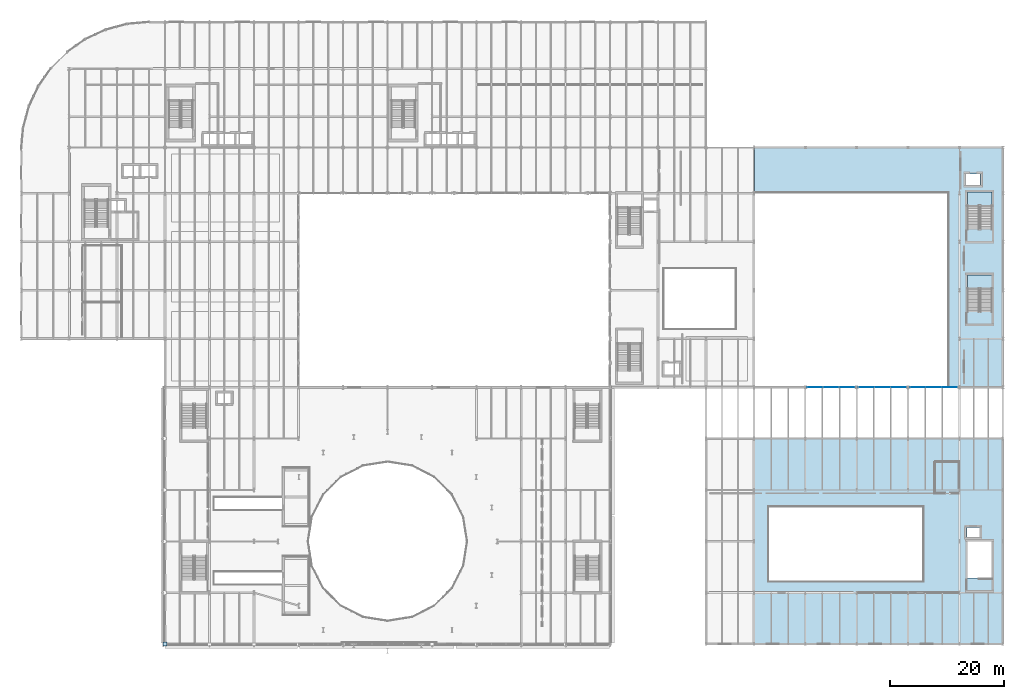
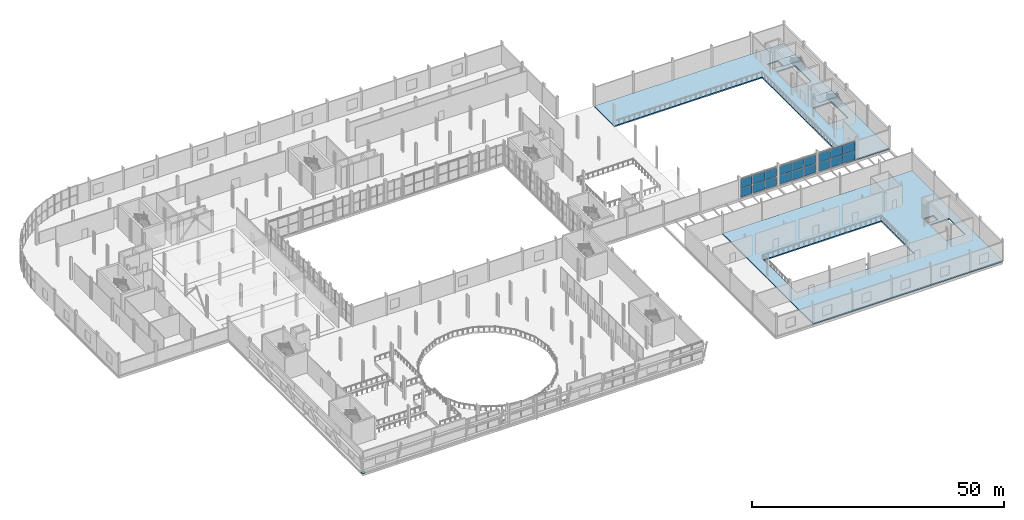
# One storey, part 43 of 78: 19 plates, 4 slabs, 5 elements without a shape of their own.
"""IFC4 building model written with IfcOpenShell, lengths in metres."""

from ifc_helpers import new_model, si_unit, direction, frame, origin, origin_2d, place, context, subcontext, project, spatial, polyline, rectangle, outline, extrude, material, layer, layer_set, type_object, element, aggregate, save


model = new_model("IFC4")

# Units and contexts
model_context = context("Model", 3, precision=1e-05, world=origin(), true_north=direction((0.0, 1.0)))
body_context = subcontext(model_context, "Body", "Model", "MODEL_VIEW")
ifc_project = project(units=[si_unit("LENGTHUNIT", "METRE"), si_unit("AREAUNIT", "SQUARE_METRE"), si_unit("VOLUMEUNIT", "CUBIC_METRE"), si_unit("PLANEANGLEUNIT", "RADIAN"), si_unit("MASSUNIT", "GRAM", prefix="KILO")], contexts=[model_context])

# Site, building, storey
site_placement = place(None, origin())
site = spatial("IfcSite", under=ifc_project, at=site_placement, CompositionType="ELEMENT")
building_placement = place(site_placement, origin())
building = spatial("IfcBuilding", under=site, at=building_placement, Name="Sefraquen Railside Congress Hotel", CompositionType="ELEMENT")
storey_placement = place(building_placement, frame((0.0, 0.0, 6.0)))
storey = spatial("IfcBuildingStorey", under=building, at=storey_placement, Name="L01", CompositionType="ELEMENT", Elevation=6.0)

# Plate
ifc_material_1 = material(Name="Steel S355J2", Category="steel")
ifc_layer_1 = layer(ifc_material_1, 0.050048828125)
ifc_layer_set_1 = layer_set([ifc_layer_1], Name="Steel S355J2")
plate_type_1 = type_object("IfcPlateType", Name="TP-BPL-01", PredefinedType="SHEET", material=ifc_layer_set_1)
plate_1_placement = place(storey_placement, frame((25.199951171875, 9.0, -0.05126953125), z_axis=(0.0, 0.0, 1.0), x_axis=(1.0, 0.0, 0.0)))
element("IfcPlate", 1, at=plate_1_placement, inside=storey, type_object=plate_type_1, Name="Inclined column base knuckle plate SW-4B", PredefinedType="SHEET", context=body_context, shape_type="SweptSolid", body=[
    extrude(rectangle(XDim=0.64990234375, YDim=0.64990234375, at=origin_2d()), origin(), (0.0, 0.0, 1.0), 0.008056640625),
])

# Curtain wall, plates
ifc_material_2 = material(Name="Thermally broken anodised aluminium and low-E double glazing", Category="aluminium")
ifc_layer_2 = layer(ifc_material_2, 0.199951171875)
ifc_layer_set_2 = layer_set([ifc_layer_2], Name="Thermally broken anodised aluminium and low-E double glazing")
curtain_wall_type_1 = type_object("IfcCurtainWallType", Name="TCW-UCW-17", PredefinedType="USERDEFINED", material=ifc_layer_set_2)
curtain_wall_1_placement = place(storey_placement, origin())
curtain_wall_1 = element("IfcCurtainWall", 2, at=curtain_wall_1_placement, inside=storey, type_object=curtain_wall_type_1, Name="Grand Ballroom L01 south curtain wall 2", ObjectType="UNITISED CURTAIN WALL", PredefinedType="USERDEFINED")
ifc_material_3 = material(Name="Solar-control low-E double glazing", Category="glass")
ifc_layer_3 = layer(ifc_material_3, 0.02392578125)
ifc_layer_set_3 = layer_set([ifc_layer_3], Name="Solar-control low-E double glazing")
plate_type_2 = type_object("IfcPlateType", Name="TP-CWP-01", PredefinedType="CURTAIN_PANEL", material=ifc_layer_set_3)
plate_2_placement = place(storey_placement, frame((139.106689453125, 54.0, 0.0400390625), z_axis=(0.0, 0.0, 1.0), x_axis=(1.0, 0.0, 0.0)))
plate_2 = element("IfcPlate", 3, at=plate_2_placement, type_object=plate_type_2, Name="CW-L01-049 panel 1.1", PredefinedType="CURTAIN_PANEL", context=body_context, shape_type="SweptSolid", body=[
    extrude(rectangle(XDim=2.703369140625, YDim=0.02392578125, at=origin_2d()), origin(), (0.0, 0.0, 1.0), 2.14501953125),
])
plate_3_placement = place(storey_placement, frame((141.89990234375, 54.0, 0.0400390625), z_axis=(0.0, 0.0, 1.0), x_axis=(1.0, 0.0, 0.0)))
plate_3 = element("IfcPlate", 4, at=plate_3_placement, type_object=plate_type_2, Name="CW-L01-049 panel 1.2", PredefinedType="CURTAIN_PANEL", context=body_context, shape_type="SweptSolid", body=[
    extrude(rectangle(XDim=2.703369140625, YDim=0.02392578125, at=origin_2d()), origin(), (0.0, 0.0, 1.0), 2.14501953125),
])
plate_4_placement = place(storey_placement, frame((144.693359375, 54.0, 0.0400390625), z_axis=(0.0, 0.0, 1.0), x_axis=(1.0, 0.0, 0.0)))
plate_4 = element("IfcPlate", 5, at=plate_4_placement, type_object=plate_type_2, Name="CW-L01-049 panel 1.3", PredefinedType="CURTAIN_PANEL", context=body_context, shape_type="SweptSolid", body=[
    extrude(rectangle(XDim=2.703369140625, YDim=0.02392578125, at=origin_2d()), origin(), (0.0, 0.0, 1.0), 2.14501953125),
])

ifc_layer_4 = layer(ifc_material_2, 0.199951171875)
ifc_layer_set_4 = layer_set([ifc_layer_4], Name="Thermally broken anodised aluminium and low-E double glazing")
curtain_wall_type_2 = type_object("IfcCurtainWallType", Name="TCW-UCW-18", PredefinedType="USERDEFINED", material=ifc_layer_set_4)
curtain_wall_2_placement = place(storey_placement, origin())
curtain_wall_2 = element("IfcCurtainWall", 6, at=curtain_wall_2_placement, inside=storey, type_object=curtain_wall_type_2, Name="Grand Ballroom L01 south curtain wall 3", ObjectType="UNITISED CURTAIN WALL", PredefinedType="USERDEFINED")
plate_5_placement = place(storey_placement, frame((148.106689453125, 54.0, 0.0400390625), z_axis=(0.0, 0.0, 1.0), x_axis=(1.0, 0.0, 0.0)))
plate_5 = element("IfcPlate", 7, at=plate_5_placement, type_object=plate_type_2, Name="CW-L01-050 panel 1.1", PredefinedType="CURTAIN_PANEL", context=body_context, shape_type="SweptSolid", body=[
    extrude(rectangle(XDim=2.703369140625, YDim=0.02392578125, at=origin_2d()), origin(), (0.0, 0.0, 1.0), 2.14501953125),
])
plate_6_placement = place(storey_placement, frame((150.89990234375, 54.0, 0.0400390625), z_axis=(0.0, 0.0, 1.0), x_axis=(1.0, 0.0, 0.0)))
plate_6 = element("IfcPlate", 8, at=plate_6_placement, type_object=plate_type_2, Name="CW-L01-050 panel 1.2", PredefinedType="CURTAIN_PANEL", context=body_context, shape_type="SweptSolid", body=[
    extrude(rectangle(XDim=2.703369140625, YDim=0.02392578125, at=origin_2d()), origin(), (0.0, 0.0, 1.0), 2.14501953125),
])
plate_7_placement = place(storey_placement, frame((153.693359375, 54.0, 0.0400390625), z_axis=(0.0, 0.0, 1.0), x_axis=(1.0, 0.0, 0.0)))
plate_7 = element("IfcPlate", 9, at=plate_7_placement, type_object=plate_type_2, Name="CW-L01-050 panel 1.3", PredefinedType="CURTAIN_PANEL", context=body_context, shape_type="SweptSolid", body=[
    extrude(rectangle(XDim=2.703369140625, YDim=0.02392578125, at=origin_2d()), origin(), (0.0, 0.0, 1.0), 2.14501953125),
])

ifc_layer_5 = layer(ifc_material_2, 0.199951171875)
ifc_layer_set_5 = layer_set([ifc_layer_5], Name="Thermally broken anodised aluminium and low-E double glazing")
curtain_wall_type_3 = type_object("IfcCurtainWallType", Name="TCW-UCW-19", PredefinedType="USERDEFINED", material=ifc_layer_set_5)
curtain_wall_3_placement = place(storey_placement, origin())
curtain_wall_3 = element("IfcCurtainWall", 10, at=curtain_wall_3_placement, inside=storey, type_object=curtain_wall_type_3, Name="Grand Ballroom L01 south curtain wall 4", ObjectType="UNITISED CURTAIN WALL", PredefinedType="USERDEFINED")
plate_8_placement = place(storey_placement, frame((157.106689453125, 54.0, 0.0400390625), z_axis=(0.0, 0.0, 1.0), x_axis=(1.0, 0.0, 0.0)))
plate_8 = element("IfcPlate", 11, at=plate_8_placement, type_object=plate_type_2, Name="CW-L01-051 panel 1.1", PredefinedType="CURTAIN_PANEL", context=body_context, shape_type="SweptSolid", body=[
    extrude(rectangle(XDim=2.703369140625, YDim=0.02392578125, at=origin_2d()), origin(), (0.0, 0.0, 1.0), 2.14501953125),
])
plate_9_placement = place(storey_placement, frame((159.89990234375, 54.0, 0.0400390625), z_axis=(0.0, 0.0, 1.0), x_axis=(1.0, 0.0, 0.0)))
plate_9 = element("IfcPlate", 12, at=plate_9_placement, type_object=plate_type_2, Name="CW-L01-051 panel 1.2", PredefinedType="CURTAIN_PANEL", context=body_context, shape_type="SweptSolid", body=[
    extrude(rectangle(XDim=2.703369140625, YDim=0.02392578125, at=origin_2d()), origin(), (0.0, 0.0, 1.0), 2.14501953125),
])
plate_10_placement = place(storey_placement, frame((162.693359375, 54.0, 0.0400390625), z_axis=(0.0, 0.0, 1.0), x_axis=(1.0, 0.0, 0.0)))
plate_10 = element("IfcPlate", 13, at=plate_10_placement, type_object=plate_type_2, Name="CW-L01-051 panel 1.3", PredefinedType="CURTAIN_PANEL", context=body_context, shape_type="SweptSolid", body=[
    extrude(rectangle(XDim=2.703369140625, YDim=0.02392578125, at=origin_2d()), origin(), (0.0, 0.0, 1.0), 2.14501953125),
])

# Plate
ifc_material_4 = material(Name="Triple acoustic solar-control glazing", Category="glass")
ifc_layer_6 = layer(ifc_material_4, 0.031982421875)
ifc_layer_set_6 = layer_set([ifc_layer_6], Name="Triple acoustic solar-control glazing")
plate_type_3 = type_object("IfcPlateType", Name="TP-CWP-02", PredefinedType="CURTAIN_PANEL", material=ifc_layer_set_6)
plate_11_placement = place(storey_placement, frame((139.106689453125, 54.0, 2.264892578125), z_axis=(0.0, 0.0, 1.0), x_axis=(1.0, 0.0, 0.0)))
plate_11 = element("IfcPlate", 14, at=plate_11_placement, type_object=plate_type_3, Name="CW-L01-049 panel 2.1", PredefinedType="CURTAIN_PANEL", context=body_context, shape_type="SweptSolid", body=[
    extrude(rectangle(XDim=2.703369140625, YDim=0.031982421875, at=origin_2d()), origin(), (0.0, 0.0, 1.0), 2.14501953125),
])

plate_12_placement = place(storey_placement, frame((141.89990234375, 54.0, 2.264892578125), z_axis=(0.0, 0.0, 1.0), x_axis=(1.0, 0.0, 0.0)))
plate_12 = element("IfcPlate", 15, at=plate_12_placement, type_object=plate_type_3, Name="CW-L01-049 panel 2.2", PredefinedType="CURTAIN_PANEL", context=body_context, shape_type="SweptSolid", body=[
    extrude(rectangle(XDim=2.703369140625, YDim=0.031982421875, at=origin_2d()), origin(), (0.0, 0.0, 1.0), 2.14501953125),
])

plate_13_placement = place(storey_placement, frame((144.693359375, 54.0, 2.264892578125), z_axis=(0.0, 0.0, 1.0), x_axis=(1.0, 0.0, 0.0)))
plate_13 = element("IfcPlate", 16, at=plate_13_placement, type_object=plate_type_3, Name="CW-L01-049 panel 2.3", PredefinedType="CURTAIN_PANEL", context=body_context, shape_type="SweptSolid", body=[
    extrude(rectangle(XDim=2.703369140625, YDim=0.031982421875, at=origin_2d()), origin(), (0.0, 0.0, 1.0), 2.14501953125),
])

aggregate(curtain_wall_1, [plate_2, plate_3, plate_4, plate_11, plate_12, plate_13])

plate_14_placement = place(storey_placement, frame((148.106689453125, 54.0, 2.264892578125), z_axis=(0.0, 0.0, 1.0), x_axis=(1.0, 0.0, 0.0)))
plate_14 = element("IfcPlate", 17, at=plate_14_placement, type_object=plate_type_3, Name="CW-L01-050 panel 2.1", PredefinedType="CURTAIN_PANEL", context=body_context, shape_type="SweptSolid", body=[
    extrude(rectangle(XDim=2.703369140625, YDim=0.031982421875, at=origin_2d()), origin(), (0.0, 0.0, 1.0), 2.14501953125),
])

plate_15_placement = place(storey_placement, frame((150.89990234375, 54.0, 2.264892578125), z_axis=(0.0, 0.0, 1.0), x_axis=(1.0, 0.0, 0.0)))
plate_15 = element("IfcPlate", 18, at=plate_15_placement, type_object=plate_type_3, Name="CW-L01-050 panel 2.2", PredefinedType="CURTAIN_PANEL", context=body_context, shape_type="SweptSolid", body=[
    extrude(rectangle(XDim=2.703369140625, YDim=0.031982421875, at=origin_2d()), origin(), (0.0, 0.0, 1.0), 2.14501953125),
])

plate_16_placement = place(storey_placement, frame((153.693359375, 54.0, 2.264892578125), z_axis=(0.0, 0.0, 1.0), x_axis=(1.0, 0.0, 0.0)))
plate_16 = element("IfcPlate", 19, at=plate_16_placement, type_object=plate_type_3, Name="CW-L01-050 panel 2.3", PredefinedType="CURTAIN_PANEL", context=body_context, shape_type="SweptSolid", body=[
    extrude(rectangle(XDim=2.703369140625, YDim=0.031982421875, at=origin_2d()), origin(), (0.0, 0.0, 1.0), 2.14501953125),
])

aggregate(curtain_wall_2, [plate_5, plate_6, plate_7, plate_14, plate_15, plate_16])

plate_17_placement = place(storey_placement, frame((157.106689453125, 54.0, 2.264892578125), z_axis=(0.0, 0.0, 1.0), x_axis=(1.0, 0.0, 0.0)))
plate_17 = element("IfcPlate", 20, at=plate_17_placement, type_object=plate_type_3, Name="CW-L01-051 panel 2.1", PredefinedType="CURTAIN_PANEL", context=body_context, shape_type="SweptSolid", body=[
    extrude(rectangle(XDim=2.703369140625, YDim=0.031982421875, at=origin_2d()), origin(), (0.0, 0.0, 1.0), 2.14501953125),
])

plate_18_placement = place(storey_placement, frame((159.89990234375, 54.0, 2.264892578125), z_axis=(0.0, 0.0, 1.0), x_axis=(1.0, 0.0, 0.0)))
plate_18 = element("IfcPlate", 21, at=plate_18_placement, type_object=plate_type_3, Name="CW-L01-051 panel 2.2", PredefinedType="CURTAIN_PANEL", context=body_context, shape_type="SweptSolid", body=[
    extrude(rectangle(XDim=2.703369140625, YDim=0.031982421875, at=origin_2d()), origin(), (0.0, 0.0, 1.0), 2.14501953125),
])

plate_19_placement = place(storey_placement, frame((162.693359375, 54.0, 2.264892578125), z_axis=(0.0, 0.0, 1.0), x_axis=(1.0, 0.0, 0.0)))
plate_19 = element("IfcPlate", 22, at=plate_19_placement, type_object=plate_type_3, Name="CW-L01-051 panel 2.3", PredefinedType="CURTAIN_PANEL", context=body_context, shape_type="SweptSolid", body=[
    extrude(rectangle(XDim=2.703369140625, YDim=0.031982421875, at=origin_2d()), origin(), (0.0, 0.0, 1.0), 2.14501953125),
])

aggregate(curtain_wall_3, [plate_8, plate_9, plate_10, plate_17, plate_18, plate_19])

# Slabs
ifc_material_5 = material(Name="Concrete C40/50", Category="concrete")
ifc_layer_7 = layer(ifc_material_5, 0.300048828125)
ifc_layer_set_7 = layer_set([ifc_layer_7], Name="Concrete C40/50")
slab_type_1 = type_object("IfcSlabType", Name="TS-FS-300", PredefinedType="FLOOR", material=ifc_layer_set_7)
slab_1_placement = place(storey_placement, frame((0.0, 0.0, -0.300048828125)))
element("IfcSlab", 23, at=slab_1_placement, inside=storey, type_object=slab_type_1, Name="Thermal Spa east L01 treatment and fitness floor slab", PredefinedType="FLOOR", context=body_context, shape_type="SweptSolid", body=[
    extrude(outline(polyline([(128.449951171875, 9.0), (172.0, 9.0), (172.0, 45.0), (128.449951171875, 45.0), (128.449951171875, 9.0)]), holes=[polyline([(165.800048828125, 20.590087890625), (170.10009765625, 20.590087890625), (170.10009765625, 26.97998046875), (165.800048828125, 26.97998046875), (165.800048828125, 20.590087890625)]), polyline([(165.699951171875, 27.75), (167.89990234375, 27.75), (167.89990234375, 29.449951171875), (165.699951171875, 29.449951171875), (165.699951171875, 27.75)]), polyline([(131.0, 20.0), (158.0, 20.0), (158.0, 33.0), (131.0, 33.0), (131.0, 20.0)])]), origin(), (0.0, 0.0, 1.0), 0.300048828125),
])
slab_2_placement = place(storey_placement, frame((0.0, 0.0, -0.300048828125)))
element("IfcSlab", 24, at=slab_2_placement, inside=storey, type_object=slab_type_1, Name="Grand Ballroom L01 VIP mezzanine gallery slab", PredefinedType="FLOOR", context=body_context, shape_type="SweptSolid", body=[
    extrude(outline(polyline([(128.449951171875, 88.0), (162.39990234375, 88.0), (162.39990234375, 54.050048828125), (172.0, 54.050048828125), (172.0, 96.0), (128.449951171875, 96.0), (128.449951171875, 88.0)]), holes=[polyline([(165.800048828125, 81.7900390625), (170.10009765625, 81.7900390625), (170.10009765625, 88.179931640625), (165.800048828125, 88.179931640625), (165.800048828125, 81.7900390625)]), polyline([(165.800048828125, 67.2900390625), (170.10009765625, 67.2900390625), (170.10009765625, 73.679931640625), (165.800048828125, 73.679931640625), (165.800048828125, 67.2900390625)]), polyline([(165.550048828125, 89.449951171875), (168.050048828125, 89.449951171875), (168.050048828125, 91.35009765625), (165.550048828125, 91.35009765625), (165.550048828125, 89.449951171875)])]), origin(), (0.0, 0.0, 1.0), 0.300048828125),
])

# Stair, slab
stair_type_1 = type_object("IfcStairType", Name="TST-DOG-205-600", PredefinedType="HALF_TURN_STAIR", material=ifc_material_5)
stair_1_placement = place(storey_placement, origin())
stair_1 = element("IfcStair", 25, at=stair_1_placement, inside=storey, type_object=stair_type_1, Name="L01 Pressurized escape stair ST-B01", PredefinedType="HALF_TURN_STAIR")
ifc_layer_8 = layer(ifc_material_5, 0.199951171875)
ifc_layer_set_8 = layer_set([ifc_layer_8], Name="Concrete C40/50")
slab_type_2 = type_object("IfcSlabType", Name="TS-LD-200", PredefinedType="LANDING", material=ifc_layer_set_8)
slab_3_placement = place(storey_placement, frame((0.0, 0.0, 2.5)))
slab_3 = element("IfcSlab", 26, at=slab_3_placement, type_object=slab_type_2, Name="ST-B01 landing 1", PredefinedType="LANDING", context=body_context, shape_type="SweptSolid", body=[
    extrude(outline(polyline([(170.10009765625, 85.85009765625), (170.10009765625, 88.179931640625), (165.800048828125, 88.179931640625), (165.800048828125, 85.85009765625), (170.10009765625, 85.85009765625)])), origin(), (0.0, 0.0, 1.0), 0.199951171875),
])
aggregate(stair_1, [slab_3])

stair_type_2 = type_object("IfcStairType", Name="TST-DOG-205-540", PredefinedType="HALF_TURN_STAIR", material=ifc_material_5)
stair_2_placement = place(storey_placement, origin())
stair_2 = element("IfcStair", 27, at=stair_2_placement, inside=storey, type_object=stair_type_2, Name="L01 Pressurized escape stair ST-B02", PredefinedType="HALF_TURN_STAIR")
slab_4_placement = place(storey_placement, frame((0.0, 0.0, 2.5)))
slab_4 = element("IfcSlab", 28, at=slab_4_placement, type_object=slab_type_2, Name="ST-B02 landing 1", PredefinedType="LANDING", context=body_context, shape_type="SweptSolid", body=[
    extrude(outline(polyline([(170.10009765625, 71.35009765625), (170.10009765625, 73.679931640625), (165.800048828125, 73.679931640625), (165.800048828125, 71.35009765625), (170.10009765625, 71.35009765625)])), origin(), (0.0, 0.0, 1.0), 0.199951171875),
])
aggregate(stair_2, [slab_4])

save(model, "model.ifc")
